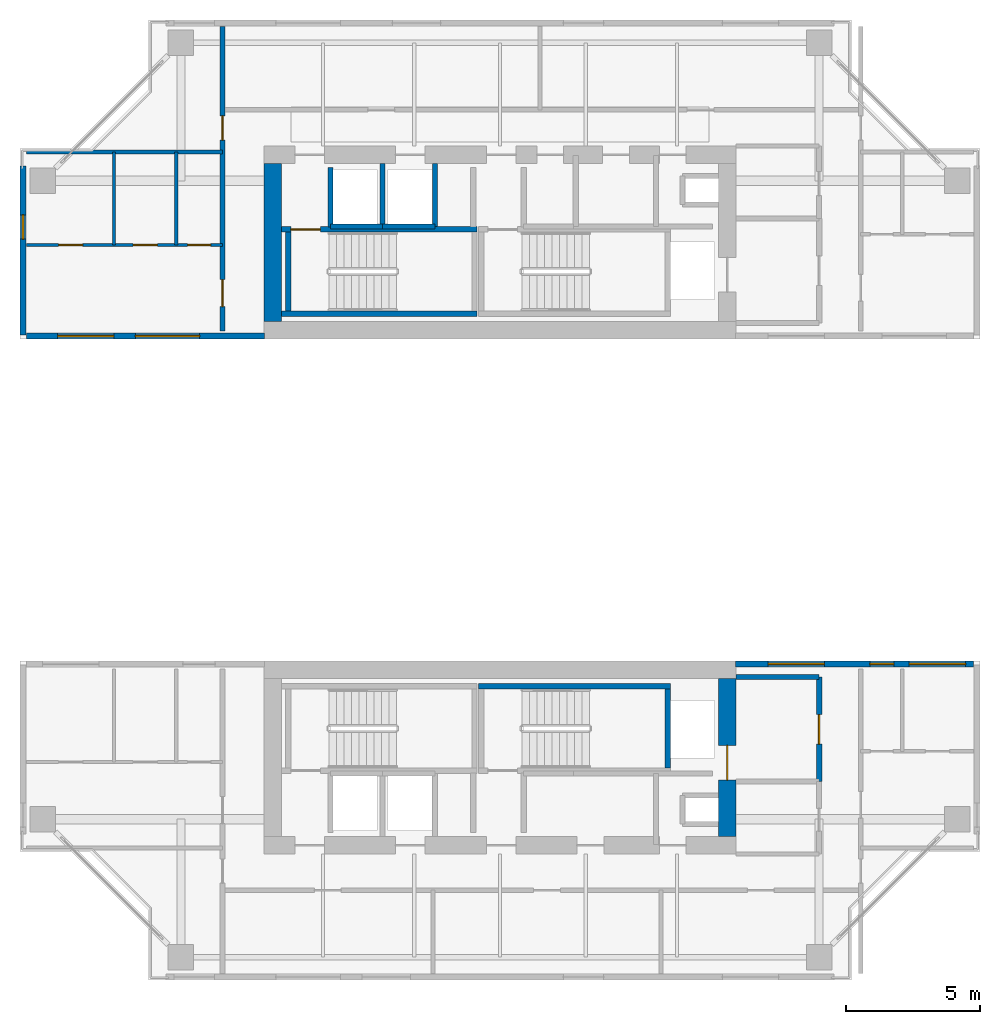
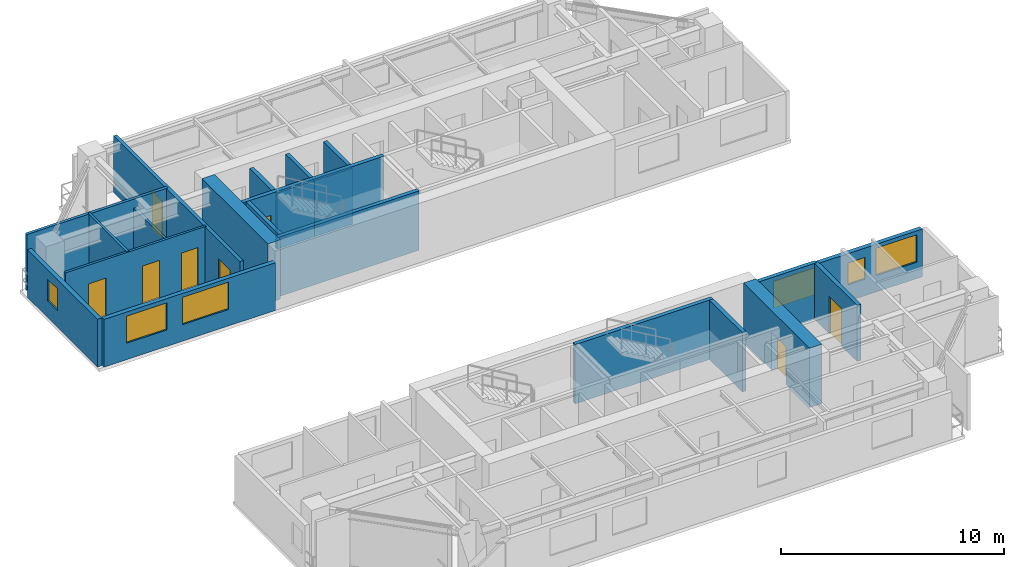
# One storey, part 8 of 12: 22 walls, 8 doors, 6 windows, 14 openings.
"""IFC4 building model written with IfcOpenShell, lengths in metres."""

from ifc_helpers import new_model, si_unit, direction, frame, frame_2d, origin, place, context, subcontext, project, spatial, rectangle, extrude, source, transform, mapped, material, layer, layer_set, type_object, element, fill, save


model = new_model("IFC4")

# Units and contexts
model_context = context("Model", 3, precision=1e-05, world=origin(), true_north=direction((0.0, 1.0)))
body_context = subcontext(model_context, "Body", "Model", "MODEL_VIEW")
ifc_project = project(units=[si_unit("LENGTHUNIT", "METRE"), si_unit("AREAUNIT", "SQUARE_METRE"), si_unit("VOLUMEUNIT", "CUBIC_METRE"), si_unit("PLANEANGLEUNIT", "RADIAN"), si_unit("MASSUNIT", "GRAM", prefix="KILO"), si_unit("THERMODYNAMICTEMPERATUREUNIT", "KELVIN"), si_unit("POWERUNIT", "WATT")], contexts=[model_context])

# Site, building, storey
site_placement = place(None, origin())
site = spatial("IfcSite", under=ifc_project, at=site_placement, CompositionType="ELEMENT")
building_placement = place(site_placement, origin())
building = spatial("IfcBuilding", under=site, at=building_placement, Name="Qiaomeng Ring Towers", CompositionType="ELEMENT")
storey_placement = place(building_placement, frame((0.0, 0.0, 156.75)))
storey = spatial("IfcBuildingStorey", under=building, at=storey_placement, Name="L45", CompositionType="ELEMENT", Elevation=156.75)

# Wall, openings, windows
ifc_material_1 = material(Name="Precast concrete C40", Category="concrete")
ifc_layer_1 = layer(ifc_material_1, 0.219970703125, Name="Precast concrete C40")
ifc_layer_set_1 = layer_set([ifc_layer_1], Name="Precast concrete C40")
wall_type_1 = type_object("IfcWallType", Name="ARC-WL-EW2", PredefinedType="STANDARD", material=ifc_layer_set_1)
wall_1_placement = place(storey_placement, frame((1.35009765625, 29.110107421875, 0.0), z_axis=(0.0, 0.0, 1.0), x_axis=(1.0, 0.0, 0.0)))
wall_1 = element("IfcWall", 1, at=wall_1_placement, inside=storey, type_object=wall_type_1, Name="L45 Portal Wing Wall NWING-W", PredefinedType="STANDARD", context=body_context, shape_type="SweptSolid", body=[
    extrude(rectangle(XDim=8.869873046875, YDim=0.219970703125, at=frame_2d((4.43505859375, 0.0))), origin(), (0.0, 0.0, 1.0), 2.610107421875),
])
opening_1_placement = place(wall_1_placement, frame((1.14990234375, 0.0, 0.89990234375)))
opening_1 = element("IfcOpeningElement", 2, at=opening_1_placement, cuts=wall_1, Name="Opening WN4", PredefinedType="OPENING", context=body_context, shape_type="SweptSolid", body=[
    extrude(rectangle(XDim=2.10009765625, YDim=1.47998046875, at=frame_2d((1.050048828125, 0.739990234375))), frame((0.0, 0.119873046875, 0.0), z_axis=(0.0, -1.0, 0.0), x_axis=(1.0, 0.0, 0.0)), (0.0, 0.0, 1.0), 0.239990234375),
])
opening_2_placement = place(wall_1_placement, frame((4.050048828125, 0.0, 0.89990234375)))
opening_2 = element("IfcOpeningElement", 3, at=opening_2_placement, cuts=wall_1, Name="Opening WN6", PredefinedType="OPENING", context=body_context, shape_type="SweptSolid", body=[
    extrude(rectangle(XDim=2.39990234375, YDim=1.5, at=frame_2d((1.199951171875, 0.75))), frame((0.0, 0.119873046875, 0.0), z_axis=(0.0, -1.0, 0.0), x_axis=(1.0, 0.0, 0.0)), (0.0, 0.0, 1.0), 0.239990234375),
])
ifc_material_2 = material(Name="Low-E dark-grey laminated double glazing", Category="glass")
window_type_1 = type_object("IfcWindowType", Name="ARC-WN-4", PartitioningType="TRIPLE_PANEL_VERTICAL", PredefinedType="WINDOW", material=ifc_material_2)
shared_shape_1 = source(origin(), body_context, "Body", "SweptSolid", [
    extrude(rectangle(XDim=2.10009765625, YDim=1.47998046875, at=frame_2d((1.050048828125, 0.739990234375))), frame((0.0, 0.030029296875, 0.0), z_axis=(0.0, -1.0, 0.0), x_axis=(1.0, 0.0, 0.0)), (0.0, 0.0, 1.0), 0.06005859375),
])
window_1_placement = place(opening_1_placement, origin())
window_1 = element("IfcWindow", 4, at=window_1_placement, inside=storey, type_object=window_type_1, Name="L45 Exterior Window WN4", OverallHeight=1.47998046875, OverallWidth=2.10009765625, PartitioningType="TRIPLE_PANEL_VERTICAL", PredefinedType="WINDOW", context=body_context, shape_type="MappedRepresentation", body=[
    mapped(shared_shape_1, transform((0.0, 0.0, 0.0), x_axis=(1.0, 0.0, 0.0), y_axis=(0.0, 1.0, 0.0), z_axis=(0.0, 0.0, 1.0), scale=1.0)),
])
fill(opening_1, window_1)
window_type_2 = type_object("IfcWindowType", Name="ARC-WN-6", PartitioningType="TRIPLE_PANEL_VERTICAL", PredefinedType="WINDOW", material=ifc_material_2)
shared_shape_2 = source(origin(), body_context, "Body", "SweptSolid", [
    extrude(rectangle(XDim=2.39990234375, YDim=1.5, at=frame_2d((1.199951171875, 0.75))), frame((0.0, 0.030029296875, 0.0), z_axis=(0.0, -1.0, 0.0), x_axis=(1.0, 0.0, 0.0)), (0.0, 0.0, 1.0), 0.06005859375),
])
window_2_placement = place(opening_2_placement, origin())
window_2 = element("IfcWindow", 5, at=window_2_placement, inside=storey, type_object=window_type_2, Name="L45 Exterior Window WN6", OverallHeight=1.5, OverallWidth=2.39990234375, PartitioningType="TRIPLE_PANEL_VERTICAL", PredefinedType="WINDOW", context=body_context, shape_type="MappedRepresentation", body=[
    mapped(shared_shape_2, transform((0.0, 0.0, 0.0), x_axis=(1.0, 0.0, 0.0), y_axis=(0.0, 1.0, 0.0), z_axis=(0.0, 0.0, 1.0), scale=1.0)),
])
fill(opening_2, window_2)

# Wall, opening, window
wall_2_placement = place(storey_placement, frame((1.2099609375, 29.14990234375, 0.0), z_axis=(0.0, 0.0, 1.0), x_axis=(0.0, 1.0, 0.0)))
wall_2 = element("IfcWall", 6, at=wall_2_placement, inside=storey, type_object=wall_type_1, Name="L45 Portal Wing Side Wall NWING-WL", PredefinedType="STANDARD", context=body_context, shape_type="SweptSolid", body=[
    extrude(rectangle(XDim=6.300048828125, YDim=0.219970703125, at=frame_2d((3.14990234375, 0.0))), origin(), (0.0, 0.0, 1.0), 2.610107421875),
])
opening_3_placement = place(wall_2_placement, frame((3.580078125, 0.0, 0.89990234375)))
opening_3 = element("IfcOpeningElement", 7, at=opening_3_placement, cuts=wall_2, Name="Opening WN5", PredefinedType="OPENING", context=body_context, shape_type="SweptSolid", body=[
    extrude(rectangle(XDim=0.89990234375, YDim=1.199951171875, at=frame_2d((0.449951171875, 0.60009765625))), frame((0.0, 0.119873046875, 0.0), z_axis=(0.0, -1.0, 0.0), x_axis=(1.0, 0.0, 0.0)), (0.0, 0.0, 1.0), 0.239990234375),
])
window_type_3 = type_object("IfcWindowType", Name="ARC-WN-5", PartitioningType="SINGLE_PANEL", PredefinedType="WINDOW", material=ifc_material_2)
shared_shape_3 = source(origin(), body_context, "Body", "SweptSolid", [
    extrude(rectangle(XDim=0.89990234375, YDim=1.199951171875, at=frame_2d((0.449951171875, 0.60009765625))), frame((0.0, 0.030029296875, 0.0), z_axis=(0.0, -1.0, 0.0), x_axis=(1.0, 0.0, 0.0)), (0.0, 0.0, 1.0), 0.06005859375),
])
window_3_placement = place(opening_3_placement, origin())
window_3 = element("IfcWindow", 8, at=window_3_placement, inside=storey, type_object=window_type_3, Name="L45 Exterior Window WN5", OverallHeight=1.199951171875, OverallWidth=0.89990234375, PartitioningType="SINGLE_PANEL", PredefinedType="WINDOW", context=body_context, shape_type="MappedRepresentation", body=[
    mapped(shared_shape_3, transform((0.0, 0.0, 0.0), x_axis=(1.0, 0.0, 0.0), y_axis=(0.0, 1.0, 0.0), z_axis=(0.0, 0.0, 1.0), scale=1.0)),
])
fill(opening_3, window_3)

# Wall, openings, windows
wall_3_placement = place(storey_placement, frame((27.780029296875, 16.889892578125, 0.0), z_axis=(0.0, 0.0, 1.0), x_axis=(1.0, 0.0, 0.0)))
wall_3 = element("IfcWall", 9, at=wall_3_placement, inside=storey, type_object=wall_type_1, Name="L45 Portal Wing Wall SWING-E", PredefinedType="STANDARD", context=body_context, shape_type="SweptSolid", body=[
    extrude(rectangle(XDim=8.869873046875, YDim=0.219970703125, at=frame_2d((4.43505859375, 0.0))), origin(), (0.0, 0.0, 1.0), 2.610107421875),
])
opening_4_placement = place(wall_3_placement, frame((1.219970703125, 0.0, 0.89990234375)))
opening_4 = element("IfcOpeningElement", 10, at=opening_4_placement, cuts=wall_3, Name="Opening WN4", PredefinedType="OPENING", context=body_context, shape_type="SweptSolid", body=[
    extrude(rectangle(XDim=2.10009765625, YDim=1.47998046875, at=frame_2d((1.050048828125, 0.739990234375))), frame((0.0, 0.119873046875, 0.0), z_axis=(0.0, -1.0, 0.0), x_axis=(1.0, 0.0, 0.0)), (0.0, 0.0, 1.0), 0.239990234375),
])
opening_5_placement = place(wall_3_placement, frame((6.47998046875, 0.0, 0.89990234375)))
opening_5 = element("IfcOpeningElement", 11, at=opening_5_placement, cuts=wall_3, Name="Opening WN4", PredefinedType="OPENING", context=body_context, shape_type="SweptSolid", body=[
    extrude(rectangle(XDim=2.10009765625, YDim=1.5, at=frame_2d((1.050048828125, 0.75))), frame((0.0, 0.119873046875, 0.0), z_axis=(0.0, -1.0, 0.0), x_axis=(1.0, 0.0, 0.0)), (0.0, 0.0, 1.0), 0.239990234375),
])
opening_6_placement = place(wall_3_placement, frame((5.010009765625, 0.0, 0.89990234375)))
opening_6 = element("IfcOpeningElement", 12, at=opening_6_placement, cuts=wall_3, Name="Opening WN5", PredefinedType="OPENING", context=body_context, shape_type="SweptSolid", body=[
    extrude(rectangle(XDim=0.89990234375, YDim=1.199951171875, at=frame_2d((0.449951171875, 0.60009765625))), frame((0.0, 0.119873046875, 0.0), z_axis=(0.0, -1.0, 0.0), x_axis=(1.0, 0.0, 0.0)), (0.0, 0.0, 1.0), 0.239990234375),
])
window_4_placement = place(opening_4_placement, origin())
window_4 = element("IfcWindow", 13, at=window_4_placement, inside=storey, type_object=window_type_1, Name="L45 Exterior Window WN4", OverallHeight=1.47998046875, OverallWidth=2.10009765625, PartitioningType="TRIPLE_PANEL_VERTICAL", PredefinedType="WINDOW", context=body_context, shape_type="MappedRepresentation", body=[
    mapped(shared_shape_1, transform((0.0, 0.0, 0.0), x_axis=(1.0, 0.0, 0.0), y_axis=(0.0, 1.0, 0.0), z_axis=(0.0, 0.0, 1.0), scale=1.0)),
])
fill(opening_4, window_4)
shared_shape_4 = source(origin(), body_context, "Body", "SweptSolid", [
    extrude(rectangle(XDim=2.10009765625, YDim=1.5, at=frame_2d((1.050048828125, 0.75))), frame((0.0, 0.030029296875, 0.0), z_axis=(0.0, -1.0, 0.0), x_axis=(1.0, 0.0, 0.0)), (0.0, 0.0, 1.0), 0.06005859375),
])
window_5_placement = place(opening_5_placement, origin())
window_5 = element("IfcWindow", 14, at=window_5_placement, inside=storey, type_object=window_type_1, Name="L45 Exterior Window WN6", OverallHeight=1.5, OverallWidth=2.10009765625, PartitioningType="TRIPLE_PANEL_VERTICAL", PredefinedType="WINDOW", context=body_context, shape_type="MappedRepresentation", body=[
    mapped(shared_shape_4, transform((0.0, 0.0, 0.0), x_axis=(1.0, 0.0, 0.0), y_axis=(0.0, 1.0, 0.0), z_axis=(0.0, 0.0, 1.0), scale=1.0)),
])
fill(opening_5, window_5)
window_6_placement = place(opening_6_placement, origin())
window_6 = element("IfcWindow", 15, at=window_6_placement, inside=storey, type_object=window_type_3, Name="L45 Exterior Window WN5", OverallHeight=1.199951171875, OverallWidth=0.89990234375, PartitioningType="SINGLE_PANEL", PredefinedType="WINDOW", context=body_context, shape_type="MappedRepresentation", body=[
    mapped(shared_shape_3, transform((0.0, 0.0, 0.0), x_axis=(1.0, 0.0, 0.0), y_axis=(0.0, 1.0, 0.0), z_axis=(0.0, 0.0, 1.0), scale=1.0)),
])
fill(opening_6, window_6)

# Wall
ifc_material_3 = material(Name="Autoclaved aerated concrete block", Category="concrete")
ifc_layer_2 = layer(ifc_material_3, 0.199951171875, Name="Autoclaved aerated concrete block")
ifc_layer_set_2 = layer_set([ifc_layer_2], Name="Autoclaved aerated concrete block")
wall_type_2 = type_object("IfcWallType", Name="ARC-WL-PW1", PredefinedType="PARTITIONING", material=ifc_layer_set_2)
wall_4_placement = place(storey_placement, frame((27.800048828125, 16.39990234375, 0.0), z_axis=(0.0, 0.0, 1.0), x_axis=(1.0, 0.0, 0.0)))
element("IfcWall", 16, at=wall_4_placement, inside=storey, type_object=wall_type_2, Name="L45 Interior Wall PW1", PredefinedType="PARTITIONING", context=body_context, shape_type="SweptSolid", body=[
    extrude(rectangle(XDim=3.099853515625, YDim=0.199951171875, at=frame_2d((1.5498046875, 0.0))), origin(), (0.0, 0.0, 1.0), 3.070068359375),
])

# Wall, opening, door
wall_5_placement = place(storey_placement, frame((30.89990234375, 12.5, 0.0), z_axis=(0.0, 0.0, 1.0), x_axis=(0.0, 1.0, 0.0)))
wall_5 = element("IfcWall", 17, at=wall_5_placement, inside=storey, type_object=wall_type_2, Name="L45 Interior Wall PW1", PredefinedType="PARTITIONING", context=body_context, shape_type="SweptSolid", body=[
    extrude(rectangle(XDim=3.89990234375, YDim=0.199951171875, at=frame_2d((1.949951171875, 0.0))), origin(), (0.0, 0.0, 1.0), 3.070068359375),
])
opening_7_placement = place(wall_5_placement, frame((1.39990234375, 0.0, 0.0)))
opening_7 = element("IfcOpeningElement", 18, at=opening_7_placement, cuts=wall_5, Name="Opening FD3", PredefinedType="OPENING", context=body_context, shape_type="SweptSolid", body=[
    extrude(rectangle(XDim=1.10009765625, YDim=2.050048828125, at=frame_2d((0.550048828125, 1.02490234375))), frame((0.0, 0.10986328125, 0.0), z_axis=(0.0, -1.0, 0.0), x_axis=(1.0, 0.0, 0.0)), (0.0, 0.0, 1.0), 0.219970703125),
])
ifc_material_4 = material(Name="Galvanised steel", Category="steel")
door_type_1 = type_object("IfcDoorType", Name="ARC-DR-FD3", OperationType="NOTDEFINED", PredefinedType="DOOR", material=ifc_material_4)
shared_shape_5 = source(origin(), body_context, "Body", "SweptSolid", [
    extrude(rectangle(XDim=1.10009765625, YDim=2.050048828125, at=frame_2d((0.550048828125, 1.02490234375))), frame((0.0, 0.02490234375, 0.0), z_axis=(0.0, -1.0, 0.0), x_axis=(1.0, 0.0, 0.0)), (0.0, 0.0, 1.0), 0.050048828125),
])
door_1_placement = place(opening_7_placement, origin())
door_1 = element("IfcDoor", 19, at=door_1_placement, inside=storey, type_object=door_type_1, Name="L45 South FF Lobby Door", OperationType="SINGLE_SWING_LEFT", OverallHeight=2.050048828125, OverallWidth=1.10009765625, PredefinedType="DOOR", context=body_context, shape_type="MappedRepresentation", body=[
    mapped(shared_shape_5, transform((0.0, 0.0, 0.0), x_axis=(1.0, 0.0, 0.0), y_axis=(0.0, 1.0, 0.0), z_axis=(0.0, 0.0, 1.0), scale=1.0)),
])
fill(opening_7, door_1)

# Wall
wall_6_placement = place(storey_placement, frame((12.679931640625, 33.18994140625, 0.0), z_axis=(0.0, 0.0, 1.0), x_axis=(0.0, 1.0, 0.0)))
element("IfcWall", 20, at=wall_6_placement, inside=storey, type_object=wall_type_2, Name="L45 Interior Wall PW1", PredefinedType="PARTITIONING", context=body_context, shape_type="SweptSolid", body=[
    extrude(rectangle(XDim=2.2099609375, YDim=0.199951171875, at=frame_2d((1.10498046875, 0.0))), origin(), (0.0, 0.0, 1.0), 3.070068359375),
])

# Wall, openings, doors
ifc_layer_3 = layer(ifc_material_3, 0.179931640625, Name="Autoclaved aerated concrete block")
ifc_layer_set_3 = layer_set([ifc_layer_3], Name="Autoclaved aerated concrete block")
wall_type_3 = type_object("IfcWallType", Name="ARC-WL-PW2", PredefinedType="PARTITIONING", material=ifc_layer_set_3)
wall_7_placement = place(storey_placement, frame((8.64990234375, 29.300048828125, 0.0), z_axis=(0.0, 0.0, 1.0), x_axis=(0.0, 1.0, 0.0)))
wall_7 = element("IfcWall", 21, at=wall_7_placement, inside=storey, type_object=wall_type_3, Name="L45 Interior Wall PW2", PredefinedType="PARTITIONING", context=body_context, shape_type="SweptSolid", body=[
    extrude(rectangle(XDim=11.349853515625, YDim=0.179931640625, at=frame_2d((5.6748046875, 0.0))), origin(), (0.0, 0.0, 1.0), 3.070068359375),
])
opening_8_placement = place(wall_7_placement, frame((0.9150390625, 0.0, 0.0)))
opening_8 = element("IfcOpeningElement", 22, at=opening_8_placement, cuts=wall_7, Name="Opening FD4", PredefinedType="OPENING", context=body_context, shape_type="SweptSolid", body=[
    extrude(rectangle(XDim=1.0, YDim=2.050048828125, at=frame_2d((0.5, 1.02490234375))), frame((0.0, 0.099853515625, 0.0), z_axis=(0.0, -1.0, 0.0), x_axis=(1.0, 0.0, 0.0)), (0.0, 0.0, 1.0), 0.199951171875),
])
opening_9_placement = place(wall_7_placement, frame((7.1201171875, 0.0, 0.0)))
opening_9 = element("IfcOpeningElement", 23, at=opening_9_placement, cuts=wall_7, Name="Opening ID1", PredefinedType="OPENING", context=body_context, shape_type="SweptSolid", body=[
    extrude(rectangle(XDim=0.89990234375, YDim=2.050048828125, at=frame_2d((0.449951171875, 1.02490234375))), frame((0.0, 0.099853515625, 0.0), z_axis=(0.0, -1.0, 0.0), x_axis=(1.0, 0.0, 0.0)), (0.0, 0.0, 1.0), 0.199951171875),
])
ifc_material_5 = material(Name="Engineered fire-rated oak timber", Category="wood")
door_type_2 = type_object("IfcDoorType", Name="ARC-DR-FD4", OperationType="NOTDEFINED", PredefinedType="DOOR", material=ifc_material_5)
shared_shape_6 = source(origin(), body_context, "Body", "SweptSolid", [
    extrude(rectangle(XDim=1.0, YDim=2.050048828125, at=frame_2d((0.5, 1.02490234375))), frame((0.0, 0.02490234375, 0.0), z_axis=(0.0, -1.0, 0.0), x_axis=(1.0, 0.0, 0.0)), (0.0, 0.0, 1.0), 0.050048828125),
])
door_2_placement = place(opening_8_placement, origin())
door_2 = element("IfcDoor", 24, at=door_2_placement, inside=storey, type_object=door_type_2, Name="L45 Door FD4", OperationType="SINGLE_SWING_RIGHT", OverallHeight=2.050048828125, OverallWidth=1.0, PredefinedType="DOOR", context=body_context, shape_type="MappedRepresentation", body=[
    mapped(shared_shape_6, transform((0.0, 0.0, 0.0), x_axis=(1.0, 0.0, 0.0), y_axis=(0.0, 1.0, 0.0), z_axis=(0.0, 0.0, 1.0), scale=1.0)),
])
fill(opening_8, door_2)
ifc_material_6 = material(Name="Engineered oak timber", Category="wood")
door_type_3 = type_object("IfcDoorType", Name="ARC-DR-ID1", OperationType="NOTDEFINED", PredefinedType="DOOR", material=ifc_material_6)
shared_shape_7 = source(origin(), body_context, "Body", "SweptSolid", [
    extrude(rectangle(XDim=0.89990234375, YDim=2.050048828125, at=frame_2d((0.449951171875, 1.02490234375))), frame((0.0, 0.02490234375, 0.0), z_axis=(0.0, -1.0, 0.0), x_axis=(1.0, 0.0, 0.0)), (0.0, 0.0, 1.0), 0.050048828125),
])
door_3_placement = place(opening_9_placement, origin())
door_3 = element("IfcDoor", 25, at=door_3_placement, inside=storey, type_object=door_type_3, Name="L45 Door ID1", OperationType="SINGLE_SWING_LEFT", OverallHeight=2.050048828125, OverallWidth=0.89990234375, PredefinedType="DOOR", context=body_context, shape_type="MappedRepresentation", body=[
    mapped(shared_shape_7, transform((0.0, 0.0, 0.0), x_axis=(1.0, 0.0, 0.0), y_axis=(0.0, 1.0, 0.0), z_axis=(0.0, 0.0, 1.0), scale=1.0)),
])
fill(opening_9, door_3)

# Wall
ifc_material_7 = material(Name="Gypsum fireboard steel-stud partition", Category="steel")
ifc_layer_4 = layer(ifc_material_7, 0.14990234375, Name="Gypsum fireboard steel-stud partition")
ifc_layer_set_4 = layer_set([ifc_layer_4], Name="Gypsum fireboard steel-stud partition")
wall_type_4 = type_object("IfcWallType", Name="ARC-WL-PW3", PredefinedType="PARTITIONING", material=ifc_layer_set_4)
wall_8_placement = place(storey_placement, frame((1.35009765625, 35.97998046875, 0.0), z_axis=(0.0, 0.0, 1.0), x_axis=(1.0, 0.0, 0.0)))
element("IfcWall", 26, at=wall_8_placement, inside=storey, type_object=wall_type_4, Name="L45 Interior Wall PW3", PredefinedType="PARTITIONING", context=body_context, shape_type="SweptSolid", body=[
    extrude(rectangle(XDim=7.2998046875, YDim=0.14990234375, at=frame_2d((3.64990234375, 0.0))), origin(), (0.0, 0.0, 1.0), 3.070068359375),
])

# Wall, openings, doors
ifc_material_8 = material(Name="Moisture-resistant gypsum steel-stud partition", Category="steel")
ifc_layer_5 = layer(ifc_material_8, 0.1201171875, Name="Moisture-resistant gypsum steel-stud partition")
ifc_layer_set_5 = layer_set([ifc_layer_5], Name="Moisture-resistant gypsum steel-stud partition")
wall_type_5 = type_object("IfcWallType", Name="ARC-WL-PW4", PredefinedType="PLUMBINGWALL", material=ifc_layer_set_5)
wall_9_placement = place(storey_placement, frame((1.35009765625, 32.510009765625, 0.0), z_axis=(0.0, 0.0, 1.0), x_axis=(1.0, 0.0, 0.0)))
wall_9 = element("IfcWall", 27, at=wall_9_placement, inside=storey, type_object=wall_type_5, Name="L45 Interior Wall PW4", PredefinedType="PLUMBINGWALL", context=body_context, shape_type="SweptSolid", body=[
    extrude(rectangle(XDim=7.2998046875, YDim=0.1201171875, at=frame_2d((3.64990234375, 0.0))), origin(), (0.0, 0.0, 1.0), 3.070068359375),
])
opening_10_placement = place(wall_9_placement, frame((1.18994140625, 0.0, 0.0)))
opening_10 = element("IfcOpeningElement", 28, at=opening_10_placement, cuts=wall_9, Name="Opening ID1", PredefinedType="OPENING", context=body_context, shape_type="SweptSolid", body=[
    extrude(rectangle(XDim=0.89990234375, YDim=2.050048828125, at=frame_2d((0.449951171875, 1.02490234375))), frame((0.0, 0.070068359375, 0.0), z_axis=(0.0, -1.0, 0.0), x_axis=(1.0, 0.0, 0.0)), (0.0, 0.0, 1.0), 0.14013671875),
])
opening_11_placement = place(wall_9_placement, frame((3.969970703125, 0.0, 0.0)))
opening_11 = element("IfcOpeningElement", 29, at=opening_11_placement, cuts=wall_9, Name="Opening ID1", PredefinedType="OPENING", context=body_context, shape_type="SweptSolid", body=[
    extrude(rectangle(XDim=0.89990234375, YDim=2.050048828125, at=frame_2d((0.449951171875, 1.02490234375))), frame((0.0, 0.070068359375, 0.0), z_axis=(0.0, -1.0, 0.0), x_axis=(1.0, 0.0, 0.0)), (0.0, 0.0, 1.0), 0.14013671875),
])
opening_12_placement = place(wall_9_placement, frame((6.0048828125, 0.0, 0.0)))
opening_12 = element("IfcOpeningElement", 30, at=opening_12_placement, cuts=wall_9, Name="Opening ID2", PredefinedType="OPENING", context=body_context, shape_type="SweptSolid", body=[
    extrude(rectangle(XDim=0.85009765625, YDim=2.050048828125, at=frame_2d((0.425048828125, 1.02490234375))), frame((0.0, 0.070068359375, 0.0), z_axis=(0.0, -1.0, 0.0), x_axis=(1.0, 0.0, 0.0)), (0.0, 0.0, 1.0), 0.14013671875),
])
ifc_material_9 = material(Name="Moisture-resistant engineered timber", Category="wood")
door_type_4 = type_object("IfcDoorType", Name="ARC-DR-ID2", OperationType="NOTDEFINED", PredefinedType="DOOR", material=ifc_material_9)
shared_shape_8 = source(origin(), body_context, "Body", "SweptSolid", [
    extrude(rectangle(XDim=0.85009765625, YDim=2.050048828125, at=frame_2d((0.425048828125, 1.02490234375))), frame((0.0, 0.02490234375, 0.0), z_axis=(0.0, -1.0, 0.0), x_axis=(1.0, 0.0, 0.0)), (0.0, 0.0, 1.0), 0.050048828125),
])
door_4_placement = place(opening_12_placement, origin())
door_4 = element("IfcDoor", 31, at=door_4_placement, inside=storey, type_object=door_type_4, Name="L45 Door ID2", OperationType="SINGLE_SWING_LEFT", OverallHeight=2.050048828125, OverallWidth=0.85009765625, PredefinedType="DOOR", context=body_context, shape_type="MappedRepresentation", body=[
    mapped(shared_shape_8, transform((0.0, 0.0, 0.0), x_axis=(1.0, 0.0, 0.0), y_axis=(0.0, 1.0, 0.0), z_axis=(0.0, 0.0, 1.0), scale=1.0)),
])
fill(opening_12, door_4)
door_5_placement = place(opening_10_placement, origin())
door_5 = element("IfcDoor", 32, at=door_5_placement, inside=storey, type_object=door_type_3, Name="L45 Door ID1", OperationType="SINGLE_SWING_LEFT", OverallHeight=2.050048828125, OverallWidth=0.89990234375, PredefinedType="DOOR", context=body_context, shape_type="MappedRepresentation", body=[
    mapped(shared_shape_7, transform((0.0, 0.0, 0.0), x_axis=(1.0, 0.0, 0.0), y_axis=(0.0, 1.0, 0.0), z_axis=(0.0, 0.0, 1.0), scale=1.0)),
])
fill(opening_10, door_5)
door_6_placement = place(opening_11_placement, origin())
door_6 = element("IfcDoor", 33, at=door_6_placement, inside=storey, type_object=door_type_3, Name="L45 Door ID1", OperationType="SINGLE_SWING_RIGHT", OverallHeight=2.050048828125, OverallWidth=0.89990234375, PredefinedType="DOOR", context=body_context, shape_type="MappedRepresentation", body=[
    mapped(shared_shape_7, transform((0.0, 0.0, 0.0), x_axis=(1.0, 0.0, 0.0), y_axis=(0.0, 1.0, 0.0), z_axis=(0.0, 0.0, 1.0), scale=1.0)),
])
fill(opening_11, door_6)

# Walls
wall_10_placement = place(storey_placement, frame((4.610107421875, 32.510009765625, 0.0), z_axis=(0.0, 0.0, 1.0), x_axis=(0.0, 1.0, 0.0)))
element("IfcWall", 34, at=wall_10_placement, inside=storey, type_object=wall_type_5, Name="L45 Interior Wall PW4", PredefinedType="PLUMBINGWALL", context=body_context, shape_type="SweptSolid", body=[
    extrude(rectangle(XDim=3.469970703125, YDim=0.1201171875, at=frame_2d((1.73486328125, 0.0))), origin(), (0.0, 0.0, 1.0), 3.070068359375),
])
wall_11_placement = place(storey_placement, frame((6.929931640625, 32.510009765625, 0.0), z_axis=(0.0, 0.0, 1.0), x_axis=(0.0, 1.0, 0.0)))
element("IfcWall", 35, at=wall_11_placement, inside=storey, type_object=wall_type_5, Name="L45 Interior Wall PW4", PredefinedType="PLUMBINGWALL", context=body_context, shape_type="SweptSolid", body=[
    extrude(rectangle(XDim=3.469970703125, YDim=0.1201171875, at=frame_2d((1.73486328125, 0.0))), origin(), (0.0, 0.0, 1.0), 2.576904296875),
])
ifc_material_10 = material(Name="Concrete C40", Category="concrete")
ifc_layer_6 = layer(ifc_material_10, 0.199951171875, Name="Concrete C40")
ifc_layer_set_6 = layer_set([ifc_layer_6], Name="Concrete C40")
wall_type_6 = type_object("IfcWallType", Name="STR-WL-STSHAFT", PredefinedType="SHEAR", material=ifc_layer_set_6)
wall_12_placement = place(storey_placement, frame((12.679931640625, 33.199951171875, 0.0), z_axis=(0.0, 0.0, 1.0), x_axis=(1.0, 0.0, 0.0)))
element("IfcWall", 36, at=wall_12_placement, inside=storey, type_object=wall_type_6, Name="L45 Lift LP5 Shaft Back Wall", PredefinedType="SHEAR", context=body_context, shape_type="SweptSolid", body=[
    extrude(rectangle(XDim=1.940185546875, YDim=0.179931640625, at=frame_2d((0.97021484375, 0.0))), origin(), (0.0, 0.0, 1.0), 3.070068359375),
])
wall_13_placement = place(storey_placement, frame((14.6201171875, 33.199951171875, 0.0), z_axis=(0.0, 0.0, 1.0), x_axis=(0.0, 1.0, 0.0)))
element("IfcWall", 37, at=wall_13_placement, inside=storey, type_object=wall_type_6, Name="L45 Lift LP5-LP3 Shaft Divider Wall", PredefinedType="SHEAR", context=body_context, shape_type="SweptSolid", body=[
    extrude(rectangle(XDim=2.35009765625, YDim=0.179931640625, at=frame_2d((1.175048828125, 0.0))), origin(), (0.0, 0.0, 1.0), 3.070068359375),
])
wall_14_placement = place(storey_placement, frame((14.6201171875, 33.199951171875, 0.0), z_axis=(0.0, 0.0, 1.0), x_axis=(1.0, 0.0, 0.0)))
element("IfcWall", 38, at=wall_14_placement, inside=storey, type_object=wall_type_6, Name="L45 Lift LP3 Shaft Back Wall", PredefinedType="SHEAR", context=body_context, shape_type="SweptSolid", body=[
    extrude(rectangle(XDim=1.9599609375, YDim=0.179931640625, at=frame_2d((0.97998046875, 0.0))), origin(), (0.0, 0.0, 1.0), 3.070068359375),
])
wall_15_placement = place(storey_placement, frame((16.580078125, 33.199951171875, 0.0), z_axis=(0.0, 0.0, 1.0), x_axis=(0.0, 1.0, 0.0)))
element("IfcWall", 39, at=wall_15_placement, inside=storey, type_object=wall_type_6, Name="L45 Lift LP3 East Shaft Wall", PredefinedType="SHEAR", context=body_context, shape_type="SweptSolid", body=[
    extrude(rectangle(XDim=2.35009765625, YDim=0.179931640625, at=frame_2d((1.175048828125, 0.0))), origin(), (0.0, 0.0, 1.0), 3.070068359375),
])
wall_16_placement = place(storey_placement, frame((10.85009765625, 29.949951171875, 0.0), z_axis=(0.0, 0.0, 1.0), x_axis=(1.0, 0.0, 0.0)))
element("IfcWall", 40, at=wall_16_placement, inside=storey, type_object=wall_type_6, Name="L45 Stair ST1 South Shaft Shear Wall", PredefinedType="SHEAR", context=body_context, shape_type="SweptSolid", body=[
    extrude(rectangle(XDim=7.2998046875, YDim=0.199951171875, at=frame_2d((3.64990234375, 0.0))), origin(), (0.0, 0.0, 1.0), 3.25),
])

# Wall, opening, door
wall_17_placement = place(storey_placement, frame((10.85009765625, 33.090087890625, 0.0), z_axis=(0.0, 0.0, 1.0), x_axis=(1.0, 0.0, 0.0)))
wall_17 = element("IfcWall", 41, at=wall_17_placement, inside=storey, type_object=wall_type_6, Name="L45 Stair ST1 North Shaft Shear Wall", PredefinedType="SHEAR", context=body_context, shape_type="SweptSolid", body=[
    extrude(rectangle(XDim=7.2998046875, YDim=0.199951171875, at=frame_2d((3.64990234375, 0.0))), origin(), (0.0, 0.0, 1.0), 3.25),
])
opening_13_placement = place(wall_17_placement, frame((0.35009765625, 0.0, 0.0)))
opening_13 = element("IfcOpeningElement", 42, at=opening_13_placement, cuts=wall_17, Name="Opening FD3", PredefinedType="OPENING", context=body_context, shape_type="SweptSolid", body=[
    extrude(rectangle(XDim=1.10009765625, YDim=2.050048828125, at=frame_2d((0.550048828125, 1.02490234375))), frame((0.0, 0.10986328125, 0.0), z_axis=(0.0, -1.0, 0.0), x_axis=(1.0, 0.0, 0.0)), (0.0, 0.0, 1.0), 0.219970703125),
])
door_7_placement = place(opening_13_placement, origin())
door_7 = element("IfcDoor", 43, at=door_7_placement, inside=storey, type_object=door_type_1, Name="L45 Stair ST1 Exit Door", OperationType="SINGLE_SWING_LEFT", OverallHeight=2.050048828125, OverallWidth=1.10009765625, PredefinedType="DOOR", context=body_context, shape_type="MappedRepresentation", body=[
    mapped(shared_shape_5, transform((0.0, 0.0, 0.0), x_axis=(1.0, 0.0, 0.0), y_axis=(0.0, 1.0, 0.0), z_axis=(0.0, 0.0, 1.0), scale=1.0)),
])
fill(opening_13, door_7)

# Walls
wall_18_placement = place(storey_placement, frame((11.10009765625, 30.050048828125, 0.0), z_axis=(0.0, 0.0, 1.0), x_axis=(0.0, 1.0, 0.0)))
element("IfcWall", 44, at=wall_18_placement, inside=storey, type_object=wall_type_6, Name="L45 Stair ST1 West Shaft Shear Wall", PredefinedType="SHEAR", context=body_context, shape_type="SweptSolid", body=[
    extrude(rectangle(XDim=2.93994140625, YDim=0.199951171875, at=frame_2d((1.469970703125, 0.0))), origin(), (0.0, 0.0, 1.0), 3.25),
])
wall_19_placement = place(storey_placement, frame((18.199951171875, 16.050048828125, 0.0), z_axis=(0.0, 0.0, 1.0), x_axis=(1.0, 0.0, 0.0)))
element("IfcWall", 45, at=wall_19_placement, inside=storey, type_object=wall_type_6, Name="L45 Stair ST4 North Shaft Shear Wall", PredefinedType="SHEAR", context=body_context, shape_type="SweptSolid", body=[
    extrude(rectangle(XDim=7.150146484375, YDim=0.199951171875, at=frame_2d((3.5751953125, 0.0))), origin(), (0.0, 0.0, 1.0), 3.25),
])
wall_20_placement = place(storey_placement, frame((25.25, 13.010009765625, 0.0), z_axis=(0.0, 0.0, 1.0), x_axis=(0.0, 1.0, 0.0)))
element("IfcWall", 46, at=wall_20_placement, inside=storey, type_object=wall_type_6, Name="L45 Stair ST4 East Shaft Shear Wall", PredefinedType="SHEAR", context=body_context, shape_type="SweptSolid", body=[
    extrude(rectangle(XDim=2.93994140625, YDim=0.199951171875, at=frame_2d((1.469970703125, 0.0))), origin(), (0.0, 0.0, 1.0), 3.25),
])
ifc_material_11 = material(Name="Concrete C50", Category="concrete")
ifc_layer_7 = layer(ifc_material_11, 0.64990234375, Name="Concrete C50")
ifc_layer_set_7 = layer_set([ifc_layer_7], Name="Concrete C50")
wall_type_7 = type_object("IfcWallType", Name="STR-WL-SW2B", PredefinedType="SHEAR", material=ifc_layer_set_7)
wall_21_placement = place(storey_placement, frame((10.52490234375, 29.64990234375, 0.0), z_axis=(0.0, 0.0, 1.0), x_axis=(0.0, 1.0, 0.0)))
element("IfcWall", 47, at=wall_21_placement, inside=storey, type_object=wall_type_7, Name="L45 T1NC west core shear wall", PredefinedType="SHEAR", context=body_context, shape_type="SweptSolid", body=[
    extrude(rectangle(XDim=5.900146484375, YDim=0.64990234375, at=frame_2d((2.9501953125, 0.0))), origin(), (0.0, 0.0, 1.0), 3.25),
])

# Wall, opening, door
wall_22_placement = place(storey_placement, frame((27.47509765625, 10.449951171875, 0.0), z_axis=(0.0, 0.0, 1.0), x_axis=(0.0, 1.0, 0.0)))
wall_22 = element("IfcWall", 48, at=wall_22_placement, inside=storey, type_object=wall_type_7, Name="L45 T1SC east core shear wall", PredefinedType="SHEAR", context=body_context, shape_type="SweptSolid", body=[
    extrude(rectangle(XDim=5.900146484375, YDim=0.64990234375, at=frame_2d((2.9501953125, 0.0))), origin(), (0.0, 0.0, 1.0), 3.25),
])
opening_14_placement = place(wall_22_placement, frame((2.10009765625, 0.0, 0.0)))
opening_14 = element("IfcOpeningElement", 49, at=opening_14_placement, cuts=wall_22, Name="Opening LD2", PredefinedType="OPENING", context=body_context, shape_type="SweptSolid", body=[
    extrude(rectangle(XDim=1.300048828125, YDim=2.050048828125, at=frame_2d((0.64990234375, 1.02490234375))), frame((0.0, 0.3349609375, 0.0), z_axis=(0.0, -1.0, 0.0), x_axis=(1.0, 0.0, 0.0)), (0.0, 0.0, 1.0), 0.669921875),
])
ifc_material_12 = material(Name="Stainless steel 316", Category="steel")
door_type_5 = type_object("IfcDoorType", Name="ARC-DR-LD2", OperationType="NOTDEFINED", PredefinedType="DOOR", material=ifc_material_12)
shared_shape_9 = source(origin(), body_context, "Body", "SweptSolid", [
    extrude(rectangle(XDim=1.300048828125, YDim=2.050048828125, at=frame_2d((0.64990234375, 1.02490234375))), frame((0.0, 0.02490234375, 0.0), z_axis=(0.0, -1.0, 0.0), x_axis=(1.0, 0.0, 0.0)), (0.0, 0.0, 1.0), 0.050048828125),
])
door_8_placement = place(opening_14_placement, origin())
door_8 = element("IfcDoor", 50, at=door_8_placement, inside=storey, type_object=door_type_5, Name="L45 Firefighting Lift FL2 Landing Door", OperationType="SLIDING_TO_RIGHT", OverallHeight=2.050048828125, OverallWidth=1.300048828125, PredefinedType="DOOR", context=body_context, shape_type="MappedRepresentation", body=[
    mapped(shared_shape_9, transform((0.0, 0.0, 0.0), x_axis=(1.0, 0.0, 0.0), y_axis=(0.0, 1.0, 0.0), z_axis=(0.0, 0.0, 1.0), scale=1.0)),
])
fill(opening_14, door_8)

save(model, "model.ifc")
